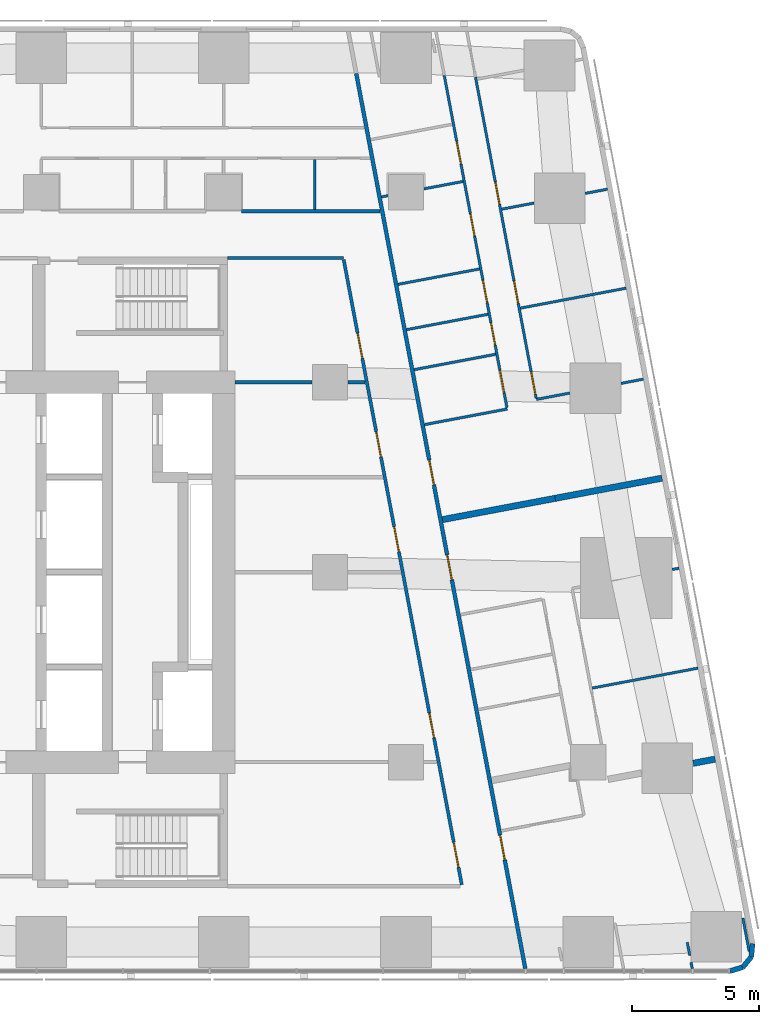
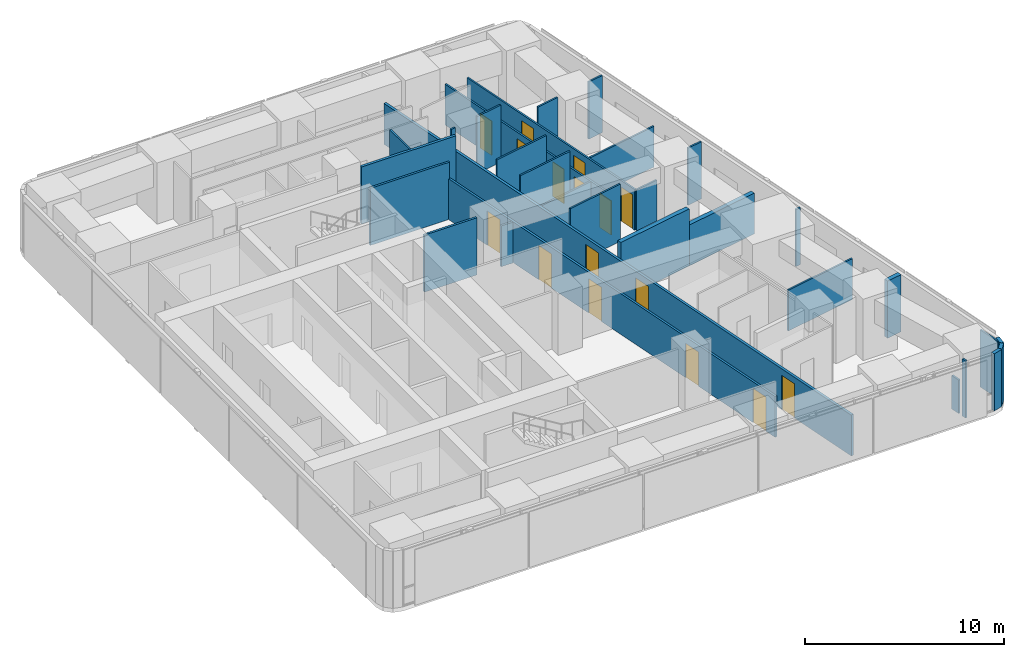
# One storey, part 7 of 11: 31 walls, 16 doors, 16 openings.
"""IFC4 building model written with IfcOpenShell, lengths in metres."""

from ifc_helpers import new_model, si_unit, direction, frame, frame_2d, origin, place, context, subcontext, project, spatial, rectangle, extrude, material, layer, layer_set, type_object, element, fill, save


model = new_model("IFC4")

# Units and contexts
model_context = context("Model", 3, precision=1e-05, world=origin(), true_north=direction((0.0, 1.0)))
body_context = subcontext(model_context, "Body", "Model", "MODEL_VIEW")
ifc_project = project(units=[si_unit("LENGTHUNIT", "METRE"), si_unit("AREAUNIT", "SQUARE_METRE"), si_unit("VOLUMEUNIT", "CUBIC_METRE"), si_unit("PLANEANGLEUNIT", "RADIAN"), si_unit("MASSUNIT", "GRAM", prefix="KILO")], contexts=[model_context])

# Site, building, storey
site_placement = place(None, origin())
site = spatial("IfcSite", under=ifc_project, at=site_placement, CompositionType="ELEMENT")
building_placement = place(site_placement, origin())
building = spatial("IfcBuilding", under=site, at=building_placement, Name="Sheger Commons Tower", CompositionType="ELEMENT")
storey_placement = place(building_placement, frame((0.0, 0.0, 262.85009765625)))
storey = spatial("IfcBuildingStorey", under=building, at=storey_placement, Name="L67", CompositionType="ELEMENT", Elevation=262.85009765625)

# Wall
ifc_material_1 = material(Name="Hollow concrete block masonry, skimmed both sides", Category="masonry")
ifc_layer_1 = layer(ifc_material_1, 0.14990234375)
ifc_layer_set_1 = layer_set([ifc_layer_1], Name="CORRIDOR WALL 150")
wall_type_1 = type_object("IfcWallType", Name="CORRIDOR WALL 150", PredefinedType="SOLIDWALL", material=ifc_layer_set_1)
wall_1_placement = place(storey_placement, frame((29.5009765625, 36.75, 0.0), z_axis=(0.0, 0.0, 1.0), x_axis=(1.0, 0.0, 0.0)))
element("IfcWall", 1, at=wall_1_placement, inside=storey, type_object=wall_type_1, Name="Corridor wall L67", PredefinedType="SOLIDWALL", context=body_context, shape_type="SweptSolid", body=[
    extrude(rectangle(XDim=5.470947265625, YDim=0.14990234375, at=frame_2d((2.7353515625, 0.0))), origin(), (0.0, 0.0, 1.0), 3.5),
])

# Wall, openings, doors
wall_2_placement = place(storey_placement, frame((34.035888671875, 42.18603515625, 0.0), z_axis=(0.0, 0.0, 1.0), x_axis=(0.185593518645, -0.9826266055, 0.0)))
wall_2 = element("IfcWall", 2, at=wall_2_placement, inside=storey, type_object=wall_type_1, Name="Corridor wall L67", PredefinedType="SOLIDWALL", context=body_context, shape_type="SweptSolid", body=[
    extrude(rectangle(XDim=35.960693359375, YDim=0.14990234375, at=frame_2d((17.98046875, 0.0))), origin(), (0.0, 0.0, 1.0), 2.5),
])
opening_1_placement = place(wall_2_placement, frame((15.529052734375, 0.0, 0.0)))
opening_1 = element("IfcOpeningElement", 3, at=opening_1_placement, cuts=wall_2, Name="Opening D1", PredefinedType="OPENING", context=body_context, shape_type="SweptSolid", body=[
    extrude(rectangle(XDim=1.0, YDim=2.10009765625, at=frame_2d((0.5, 1.050048828125))), frame((0.0, 0.0849609375, 0.0), z_axis=(0.0, -1.0, 0.0), x_axis=(1.0, 0.0, 0.0)), (0.0, 0.0, 1.0), 0.169921875),
])
opening_2_placement = place(wall_2_placement, frame((19.344970703125, 0.0, 0.0)))
opening_2 = element("IfcOpeningElement", 4, at=opening_2_placement, cuts=wall_2, Name="Opening D1", PredefinedType="OPENING", context=body_context, shape_type="SweptSolid", body=[
    extrude(rectangle(XDim=1.0, YDim=2.10009765625, at=frame_2d((0.5, 1.050048828125))), frame((0.0, 0.0849609375, 0.0), z_axis=(0.0, -1.0, 0.0), x_axis=(1.0, 0.0, 0.0)), (0.0, 0.0, 1.0), 0.169921875),
])
opening_3_placement = place(wall_2_placement, frame((30.593994140625, 0.0, 0.0)))
opening_3 = element("IfcOpeningElement", 5, at=opening_3_placement, cuts=wall_2, Name="Opening D1", PredefinedType="OPENING", context=body_context, shape_type="SweptSolid", body=[
    extrude(rectangle(XDim=1.0, YDim=2.10009765625, at=frame_2d((0.5, 1.050048828125))), frame((0.0, 0.0849609375, 0.0), z_axis=(0.0, -1.0, 0.0), x_axis=(1.0, 0.0, 0.0)), (0.0, 0.0, 1.0), 0.169921875),
])
ifc_material_2 = material(Name="Steel door set, fire rated", Category="steel")
door_type_1 = type_object("IfcDoorType", Name="FLAT ENTRANCE DOOR 1000x2100", OperationType="NOTDEFINED", PredefinedType="DOOR", material=ifc_material_2)
door_1_placement = place(opening_1_placement, origin())
door_1 = element("IfcDoor", 6, at=door_1_placement, inside=storey, type_object=door_type_1, Name="Flat entrance door", OperationType="SINGLE_SWING_LEFT", OverallHeight=2.10009765625, OverallWidth=1.0, PredefinedType="DOOR", context=body_context, shape_type="SweptSolid", body=[
    extrude(rectangle(XDim=1.0, YDim=2.10009765625, at=frame_2d((0.5, 1.050048828125))), frame((0.0, 0.02490234375, 0.0), z_axis=(0.0, -1.0, 0.0), x_axis=(1.0, 0.0, 0.0)), (0.0, 0.0, 1.0), 0.050048828125),
])
fill(opening_1, door_1)
door_2_placement = place(opening_2_placement, origin())
door_2 = element("IfcDoor", 7, at=door_2_placement, inside=storey, type_object=door_type_1, Name="Flat entrance door", OperationType="SINGLE_SWING_RIGHT", OverallHeight=2.10009765625, OverallWidth=1.0, PredefinedType="DOOR", context=body_context, shape_type="SweptSolid", body=[
    extrude(rectangle(XDim=1.0, YDim=2.10009765625, at=frame_2d((0.5, 1.050048828125))), frame((0.0, 0.02490234375, 0.0), z_axis=(0.0, -1.0, 0.0), x_axis=(1.0, 0.0, 0.0)), (0.0, 0.0, 1.0), 0.050048828125),
])
fill(opening_2, door_2)
door_3_placement = place(opening_3_placement, origin())
door_3 = element("IfcDoor", 8, at=door_3_placement, inside=storey, type_object=door_type_1, Name="Flat entrance door", OperationType="SINGLE_SWING_LEFT", OverallHeight=2.10009765625, OverallWidth=1.0, PredefinedType="DOOR", context=body_context, shape_type="SweptSolid", body=[
    extrude(rectangle(XDim=1.0, YDim=2.10009765625, at=frame_2d((0.5, 1.050048828125))), frame((0.0, 0.02490234375, 0.0), z_axis=(0.0, -1.0, 0.0), x_axis=(1.0, 0.0, 0.0)), (0.0, 0.0, 1.0), 0.050048828125),
])
fill(opening_3, door_3)

# Walls
ifc_material_3 = material(Name="Dense concrete block masonry, plastered both sides (separating wall between flats)", Category="masonry")
ifc_layer_2 = layer(ifc_material_3, 0.25)
ifc_layer_set_2 = layer_set([ifc_layer_2], Name="DEMISING WALL 250")
wall_type_2 = type_object("IfcWallType", Name="DEMISING WALL 250", PredefinedType="SOLIDWALL", material=ifc_layer_set_2)
wall_3_placement = place(storey_placement, frame((46.110107421875, 26.212890625, 0.0), z_axis=(0.0, 0.0, 1.0), x_axis=(-0.982633535512, -0.185556823879, 0.0)))
element("IfcWall", 9, at=wall_3_placement, inside=storey, type_object=wall_type_2, Name="Demising wall L67", PredefinedType="SOLIDWALL", context=body_context, shape_type="SweptSolid", body=[
    extrude(rectangle(XDim=4.2998046875, YDim=0.25, at=frame_2d((2.14990234375, 0.0))), origin(), (0.0, 0.0, 1.0), 2.5),
])
wall_4_placement = place(storey_placement, frame((41.885009765625, 25.4150390625, 0.0), z_axis=(0.0, 0.0, 1.0), x_axis=(-0.982612837616, -0.185666398014, 0.0)))
element("IfcWall", 10, at=wall_4_placement, inside=storey, type_object=wall_type_2, Name="Demising wall L67", PredefinedType="SOLIDWALL", context=body_context, shape_type="SweptSolid", body=[
    extrude(rectangle(XDim=4.524658203125, YDim=0.25, at=frame_2d((2.26220703125, 0.0))), origin(), (0.0, 0.0, 1.0), 3.5),
])
wall_5_placement = place(storey_placement, frame((48.2060546875, 15.1201171875, 0.0), z_axis=(0.0, 0.0, 1.0), x_axis=(-0.982608419258, -0.185689780017, 0.0)))
element("IfcWall", 11, at=wall_5_placement, inside=storey, type_object=wall_type_2, Name="Demising wall L67", PredefinedType="SOLIDWALL", context=body_context, shape_type="SweptSolid", body=[
    extrude(rectangle(XDim=0.883544921875, YDim=0.25, at=frame_2d((0.44189453125, 0.0))), origin(), (0.0, 0.0, 1.0), 3.5),
])
ifc_material_4 = material(Name="Rendered concrete block masonry, dark grey", Category="masonry")
ifc_layer_3 = layer(ifc_material_4, 0.199951171875)
ifc_layer_set_3 = layer_set([ifc_layer_3], Name="FACADE WALL 200")
wall_type_3 = type_object("IfcWallType", Name="FACADE WALL 200", PredefinedType="SOLIDWALL", material=ifc_layer_set_3)
wall_6_placement = place(storey_placement, frame((48.787109375, 6.75, 0.0), z_axis=(0.0, 0.0, 1.0), x_axis=(0.957282247819, 0.289155145225, 0.0)))
element("IfcWall", 12, at=wall_6_placement, inside=storey, type_object=wall_type_3, Name="Facade wall L67", PredefinedType="SOLIDWALL", context=body_context, shape_type="SweptSolid", body=[
    extrude(rectangle(XDim=0.53271484375, YDim=0.199951171875, at=frame_2d((0.266357421875, 0.0))), origin(), (0.0, 0.0, 1.0), 3.5),
])
wall_7_placement = place(storey_placement, frame((49.297119140625, 6.904052734375, 0.0), z_axis=(0.0, 0.0, 1.0), x_axis=(0.639255849474, 0.768994121508, 0.0)))
element("IfcWall", 13, at=wall_7_placement, inside=storey, type_object=wall_type_3, Name="Facade wall L67", PredefinedType="SOLIDWALL", context=body_context, shape_type="SweptSolid", body=[
    extrude(rectangle(XDim=0.517578125, YDim=0.199951171875, at=frame_2d((0.2587890625, 0.0))), origin(), (0.0, 0.0, 1.0), 3.5),
])
wall_8_placement = place(storey_placement, frame((49.6279296875, 7.302001953125, 0.0), z_axis=(0.0, 0.0, 1.0), x_axis=(0.105352390132, 0.994434952068, 0.0)))
element("IfcWall", 14, at=wall_8_placement, inside=storey, type_object=wall_type_3, Name="Facade wall L67", PredefinedType="SOLIDWALL", context=body_context, shape_type="SweptSolid", body=[
    extrude(rectangle(XDim=0.532958984375, YDim=0.199951171875, at=frame_2d((0.2666015625, 0.0))), origin(), (0.0, 0.0, 1.0), 3.5),
])
ifc_material_5 = material(Name="Gypsum board on steel studs", Category="steel")
ifc_layer_4 = layer(ifc_material_5, 0.10009765625)
ifc_layer_set_4 = layer_set([ifc_layer_4], Name="PARTITION 100")
wall_type_4 = type_object("IfcWallType", Name="PARTITION 100", PredefinedType="PARTITIONING", material=ifc_layer_set_4)
wall_9_placement = place(storey_placement, frame((49.300048828125, 8.85107421875, 0.0), z_axis=(0.0, 0.0, 1.0), x_axis=(0.18581620423, -0.982584519645, 0.0)))
element("IfcWall", 15, at=wall_9_placement, inside=storey, type_object=wall_type_4, Name="Partition L67", PredefinedType="PARTITIONING", context=body_context, shape_type="SweptSolid", body=[
    extrude(rectangle(XDim=1.3505859375, YDim=0.10009765625, at=frame_2d((0.67529296875, 0.0))), origin(), (0.0, 0.0, 1.0), 3.5),
])
wall_10_placement = place(storey_placement, frame((47.301025390625, 6.85009765625, 0.0), z_axis=(0.0, 0.0, 1.0), x_axis=(-0.187513903188, 0.982261948826, 0.0)))
element("IfcWall", 16, at=wall_10_placement, inside=storey, type_object=wall_type_4, Name="Partition L67", PredefinedType="PARTITIONING", context=body_context, shape_type="SweptSolid", body=[
    extrude(rectangle(XDim=0.251220703125, YDim=0.10009765625, at=frame_2d((0.12548828125, 0.0))), origin(), (0.0, 0.0, 1.0), 3.5),
])
wall_11_placement = place(storey_placement, frame((47.202880859375, 7.368896484375, 0.0), z_axis=(0.0, 0.0, 1.0), x_axis=(-0.186456243114, 0.982463266185, 0.0)))
element("IfcWall", 17, at=wall_11_placement, inside=storey, type_object=wall_type_4, Name="Partition L67", PredefinedType="PARTITIONING", context=body_context, shape_type="SweptSolid", body=[
    extrude(rectangle(XDim=0.5302734375, YDim=0.10009765625, at=frame_2d((0.26513671875, 0.0))), origin(), (0.0, 0.0, 1.0), 2.0498046875),
])

# Wall, openings, doors
wall_12_placement = place(storey_placement, frame((38.743896484375, 42.044921875, 0.0), z_axis=(0.0, 0.0, 1.0), x_axis=(0.185614085367, -0.982622720739, 0.0)))
wall_12 = element("IfcWall", 18, at=wall_12_placement, inside=storey, type_object=wall_type_4, Name="Partition L67", PredefinedType="PARTITIONING", context=body_context, shape_type="SweptSolid", body=[
    extrude(rectangle(XDim=12.89794921875, YDim=0.10009765625, at=frame_2d((6.448974609375, 0.0))), origin(), (0.0, 0.0, 1.0), 2.5),
])
opening_4_placement = place(wall_12_placement, frame((11.847900390625, 0.0, 0.0)))
opening_4 = element("IfcOpeningElement", 19, at=opening_4_placement, cuts=wall_12, Name="Opening D2", PredefinedType="OPENING", context=body_context, shape_type="SweptSolid", body=[
    extrude(rectangle(XDim=0.89990234375, YDim=2.10009765625, at=frame_2d((0.449951171875, 1.050048828125))), frame((0.0, 0.06005859375, 0.0), z_axis=(0.0, -1.0, 0.0), x_axis=(1.0, 0.0, 0.0)), (0.0, 0.0, 1.0), 0.1201171875),
])
opening_5_placement = place(wall_12_placement, frame((8.19091796875, 0.0, 0.0)))
opening_5 = element("IfcOpeningElement", 20, at=opening_5_placement, cuts=wall_12, Name="Opening D2", PredefinedType="OPENING", context=body_context, shape_type="SweptSolid", body=[
    extrude(rectangle(XDim=0.89990234375, YDim=2.10009765625, at=frame_2d((0.449951171875, 1.050048828125))), frame((0.0, 0.06005859375, 0.0), z_axis=(0.0, -1.0, 0.0), x_axis=(1.0, 0.0, 0.0)), (0.0, 0.0, 1.0), 0.1201171875),
])
opening_6_placement = place(wall_12_placement, frame((4.215087890625, 0.0, 0.0)))
opening_6 = element("IfcOpeningElement", 21, at=opening_6_placement, cuts=wall_12, Name="Opening D2", PredefinedType="OPENING", context=body_context, shape_type="SweptSolid", body=[
    extrude(rectangle(XDim=0.89990234375, YDim=2.10009765625, at=frame_2d((0.449951171875, 1.050048828125))), frame((0.0, 0.06005859375, 0.0), z_axis=(0.0, -1.0, 0.0), x_axis=(1.0, 0.0, 0.0)), (0.0, 0.0, 1.0), 0.1201171875),
])
ifc_material_6 = material(Name="Timber door set", Category="wood")
door_type_2 = type_object("IfcDoorType", Name="INTERNAL DOOR 900x2100", OperationType="NOTDEFINED", PredefinedType="DOOR", material=ifc_material_6)
door_4_placement = place(opening_4_placement, origin())
door_4 = element("IfcDoor", 22, at=door_4_placement, inside=storey, type_object=door_type_2, Name="Main bedroom door", OperationType="SINGLE_SWING_RIGHT", OverallHeight=2.10009765625, OverallWidth=0.89990234375, PredefinedType="DOOR", context=body_context, shape_type="SweptSolid", body=[
    extrude(rectangle(XDim=0.89990234375, YDim=2.10009765625, at=frame_2d((0.449951171875, 1.050048828125))), frame((0.0, 0.02490234375, 0.0), z_axis=(0.0, -1.0, 0.0), x_axis=(1.0, 0.0, 0.0)), (0.0, 0.0, 1.0), 0.050048828125),
])
fill(opening_4, door_4)
door_5_placement = place(opening_5_placement, origin())
door_5 = element("IfcDoor", 23, at=door_5_placement, inside=storey, type_object=door_type_2, Name="Bedroom 2 door", OperationType="SINGLE_SWING_RIGHT", OverallHeight=2.10009765625, OverallWidth=0.89990234375, PredefinedType="DOOR", context=body_context, shape_type="SweptSolid", body=[
    extrude(rectangle(XDim=0.89990234375, YDim=2.10009765625, at=frame_2d((0.449951171875, 1.050048828125))), frame((0.0, 0.02490234375, 0.0), z_axis=(0.0, -1.0, 0.0), x_axis=(1.0, 0.0, 0.0)), (0.0, 0.0, 1.0), 0.050048828125),
])
fill(opening_5, door_5)
door_6_placement = place(opening_6_placement, origin())
door_6 = element("IfcDoor", 24, at=door_6_placement, inside=storey, type_object=door_type_2, Name="Bedroom 3 door", OperationType="SINGLE_SWING_RIGHT", OverallHeight=2.10009765625, OverallWidth=0.89990234375, PredefinedType="DOOR", context=body_context, shape_type="SweptSolid", body=[
    extrude(rectangle(XDim=0.89990234375, YDim=2.10009765625, at=frame_2d((0.449951171875, 1.050048828125))), frame((0.0, 0.02490234375, 0.0), z_axis=(0.0, -1.0, 0.0), x_axis=(1.0, 0.0, 0.0)), (0.0, 0.0, 1.0), 0.050048828125),
])
fill(opening_6, door_6)

wall_13_placement = place(storey_placement, frame((37.510986328125, 42.10888671875, 0.0), z_axis=(0.0, 0.0, 1.0), x_axis=(0.185550464988, -0.982634736279, 0.0)))
wall_13 = element("IfcWall", 25, at=wall_13_placement, inside=storey, type_object=wall_type_4, Name="Partition L67", PredefinedType="PARTITIONING", context=body_context, shape_type="SweptSolid", body=[
    extrude(rectangle(XDim=13.349853515625, YDim=0.10009765625, at=frame_2d((6.6748046875, 0.0))), origin(), (0.0, 0.0, 1.0), 2.5),
])
opening_7_placement = place(wall_13_placement, frame((11.844970703125, 0.0, 0.0)))
opening_7 = element("IfcOpeningElement", 26, at=opening_7_placement, cuts=wall_13, Name="Opening D2", PredefinedType="OPENING", context=body_context, shape_type="SweptSolid", body=[
    extrude(rectangle(XDim=0.89990234375, YDim=2.10009765625, at=frame_2d((0.449951171875, 1.050048828125))), frame((0.0, 0.06005859375, 0.0), z_axis=(0.0, -1.0, 0.0), x_axis=(1.0, 0.0, 0.0)), (0.0, 0.0, 1.0), 0.1201171875),
])
opening_8_placement = place(wall_13_placement, frame((8.22412109375, 0.0, 0.0)))
opening_8 = element("IfcOpeningElement", 27, at=opening_8_placement, cuts=wall_13, Name="Opening D2", PredefinedType="OPENING", context=body_context, shape_type="SweptSolid", body=[
    extrude(rectangle(XDim=0.89990234375, YDim=2.10009765625, at=frame_2d((0.449951171875, 1.050048828125))), frame((0.0, 0.06005859375, 0.0), z_axis=(0.0, -1.0, 0.0), x_axis=(1.0, 0.0, 0.0)), (0.0, 0.0, 1.0), 0.1201171875),
])
opening_9_placement = place(wall_13_placement, frame((2.64990234375, 0.0, 0.0)))
opening_9 = element("IfcOpeningElement", 28, at=opening_9_placement, cuts=wall_13, Name="Opening D2", PredefinedType="OPENING", context=body_context, shape_type="SweptSolid", body=[
    extrude(rectangle(XDim=0.89990234375, YDim=2.10009765625, at=frame_2d((0.449951171875, 1.050048828125))), frame((0.0, 0.06005859375, 0.0), z_axis=(0.0, -1.0, 0.0), x_axis=(1.0, 0.0, 0.0)), (0.0, 0.0, 1.0), 0.1201171875),
])
opening_10_placement = place(wall_13_placement, frame((9.93603515625, 0.0, 0.0)))
opening_10 = element("IfcOpeningElement", 29, at=opening_10_placement, cuts=wall_13, Name="Opening D2", PredefinedType="OPENING", context=body_context, shape_type="SweptSolid", body=[
    extrude(rectangle(XDim=0.89990234375, YDim=2.10009765625, at=frame_2d((0.449951171875, 1.050048828125))), frame((0.0, 0.06005859375, 0.0), z_axis=(0.0, -1.0, 0.0), x_axis=(1.0, 0.0, 0.0)), (0.0, 0.0, 1.0), 0.1201171875),
])
opening_11_placement = place(wall_13_placement, frame((5.554931640625, 0.0, 0.0)))
opening_11 = element("IfcOpeningElement", 30, at=opening_11_placement, cuts=wall_13, Name="Opening D2", PredefinedType="OPENING", context=body_context, shape_type="SweptSolid", body=[
    extrude(rectangle(XDim=0.89990234375, YDim=2.10009765625, at=frame_2d((0.449951171875, 1.050048828125))), frame((0.0, 0.06005859375, 0.0), z_axis=(0.0, -1.0, 0.0), x_axis=(1.0, 0.0, 0.0)), (0.0, 0.0, 1.0), 0.1201171875),
])
door_7_placement = place(opening_7_placement, origin())
door_7 = element("IfcDoor", 31, at=door_7_placement, inside=storey, type_object=door_type_2, Name="Bathroom door", OperationType="SINGLE_SWING_LEFT", OverallHeight=2.10009765625, OverallWidth=0.89990234375, PredefinedType="DOOR", context=body_context, shape_type="SweptSolid", body=[
    extrude(rectangle(XDim=0.89990234375, YDim=2.10009765625, at=frame_2d((0.449951171875, 1.050048828125))), frame((0.0, 0.02490234375, 0.0), z_axis=(0.0, -1.0, 0.0), x_axis=(1.0, 0.0, 0.0)), (0.0, 0.0, 1.0), 0.050048828125),
])
fill(opening_7, door_7)
door_8_placement = place(opening_8_placement, origin())
door_8 = element("IfcDoor", 32, at=door_8_placement, inside=storey, type_object=door_type_2, Name="Laundry room door", OperationType="SINGLE_SWING_RIGHT", OverallHeight=2.10009765625, OverallWidth=0.89990234375, PredefinedType="DOOR", context=body_context, shape_type="SweptSolid", body=[
    extrude(rectangle(XDim=0.89990234375, YDim=2.10009765625, at=frame_2d((0.449951171875, 1.050048828125))), frame((0.0, 0.02490234375, 0.0), z_axis=(0.0, -1.0, 0.0), x_axis=(1.0, 0.0, 0.0)), (0.0, 0.0, 1.0), 0.050048828125),
])
fill(opening_8, door_8)
door_9_placement = place(opening_9_placement, origin())
door_9 = element("IfcDoor", 33, at=door_9_placement, inside=storey, type_object=door_type_2, Name="Laundry room door", OperationType="SINGLE_SWING_RIGHT", OverallHeight=2.10009765625, OverallWidth=0.89990234375, PredefinedType="DOOR", context=body_context, shape_type="SweptSolid", body=[
    extrude(rectangle(XDim=0.89990234375, YDim=2.10009765625, at=frame_2d((0.449951171875, 1.050048828125))), frame((0.0, 0.02490234375, 0.0), z_axis=(0.0, -1.0, 0.0), x_axis=(1.0, 0.0, 0.0)), (0.0, 0.0, 1.0), 0.050048828125),
])
fill(opening_9, door_9)
door_10_placement = place(opening_10_placement, origin())
door_10 = element("IfcDoor", 34, at=door_10_placement, inside=storey, type_object=door_type_2, Name="Store door", OperationType="SINGLE_SWING_LEFT", OverallHeight=2.10009765625, OverallWidth=0.89990234375, PredefinedType="DOOR", context=body_context, shape_type="SweptSolid", body=[
    extrude(rectangle(XDim=0.89990234375, YDim=2.10009765625, at=frame_2d((0.449951171875, 1.050048828125))), frame((0.0, 0.02490234375, 0.0), z_axis=(0.0, -1.0, 0.0), x_axis=(1.0, 0.0, 0.0)), (0.0, 0.0, 1.0), 0.050048828125),
])
fill(opening_10, door_10)
door_11_placement = place(opening_11_placement, origin())
door_11 = element("IfcDoor", 35, at=door_11_placement, inside=storey, type_object=door_type_2, Name="Store door", OperationType="SINGLE_SWING_LEFT", OverallHeight=2.10009765625, OverallWidth=0.89990234375, PredefinedType="DOOR", context=body_context, shape_type="SweptSolid", body=[
    extrude(rectangle(XDim=0.89990234375, YDim=2.10009765625, at=frame_2d((0.449951171875, 1.050048828125))), frame((0.0, 0.02490234375, 0.0), z_axis=(0.0, -1.0, 0.0), x_axis=(1.0, 0.0, 0.0)), (0.0, 0.0, 1.0), 0.050048828125),
])
fill(opening_11, door_11)

# Walls
wall_14_placement = place(storey_placement, frame((43.955078125, 37.6201171875, 0.0), z_axis=(0.0, 0.0, 1.0), x_axis=(-0.982708424405, -0.18515980288, 0.0)))
element("IfcWall", 36, at=wall_14_placement, inside=storey, type_object=wall_type_4, Name="Partition L67", PredefinedType="PARTITIONING", context=body_context, shape_type="SweptSolid", body=[
    extrude(rectangle(XDim=0.896728515625, YDim=0.10009765625, at=frame_2d((0.4482421875, 0.0))), origin(), (0.0, 0.0, 1.0), 3.5),
])
wall_15_placement = place(storey_placement, frame((41.053955078125, 37.072021484375, 0.0), z_axis=(0.0, 0.0, 1.0), x_axis=(-0.982576752117, -0.185857273733, 0.0)))
element("IfcWall", 37, at=wall_15_placement, inside=storey, type_object=wall_type_4, Name="Partition L67", PredefinedType="PARTITIONING", context=body_context, shape_type="SweptSolid", body=[
    extrude(rectangle(XDim=1.296630859375, YDim=0.10009765625, at=frame_2d((0.6484375, 0.0))), origin(), (0.0, 0.0, 1.0), 3.5),
])
wall_16_placement = place(storey_placement, frame((44.693115234375, 33.712890625, 0.0), z_axis=(0.0, 0.0, 1.0), x_axis=(-0.982615600536, -0.185651775062, 0.0)))
element("IfcWall", 38, at=wall_16_placement, inside=storey, type_object=wall_type_4, Name="Partition L67", PredefinedType="PARTITIONING", context=body_context, shape_type="SweptSolid", body=[
    extrude(rectangle(XDim=4.2490234375, YDim=0.10009765625, at=frame_2d((2.12451171875, 0.0))), origin(), (0.0, 0.0, 1.0), 2.5),
])
wall_17_placement = place(storey_placement, frame((45.3720703125, 30.12109375, 0.0), z_axis=(0.0, 0.0, 1.0), x_axis=(-0.982547416156, -0.186012297994, 0.0)))
element("IfcWall", 39, at=wall_17_placement, inside=storey, type_object=wall_type_4, Name="Partition L67", PredefinedType="PARTITIONING", context=body_context, shape_type="SweptSolid", body=[
    extrude(rectangle(XDim=0.897705078125, YDim=0.10009765625, at=frame_2d((0.44873046875, 0.0))), origin(), (0.0, 0.0, 1.0), 3.5),
])
wall_18_placement = place(storey_placement, frame((42.469970703125, 29.572021484375, 0.0), z_axis=(0.0, 0.0, 1.0), x_axis=(-0.982610503289, -0.185678751683, 0.0)))
element("IfcWall", 40, at=wall_18_placement, inside=storey, type_object=wall_type_4, Name="Partition L67", PredefinedType="PARTITIONING", context=body_context, shape_type="SweptSolid", body=[
    extrude(rectangle(XDim=1.346435546875, YDim=0.10009765625, at=frame_2d((0.67333984375, 0.0))), origin(), (0.0, 0.0, 1.0), 2.5),
])
wall_19_placement = place(storey_placement, frame((38.25, 37.925048828125, 0.0), z_axis=(0.0, 0.0, 1.0), x_axis=(-0.982610209589, -0.185680305934, 0.0)))
element("IfcWall", 41, at=wall_19_placement, inside=storey, type_object=wall_type_4, Name="Partition L67", PredefinedType="PARTITIONING", context=body_context, shape_type="SweptSolid", body=[
    extrude(rectangle(XDim=1.5673828125, YDim=0.10009765625, at=frame_2d((0.78369140625, 0.0))), origin(), (0.0, 0.0, 1.0), 3.5),
])
wall_20_placement = place(storey_placement, frame((35.2900390625, 37.365966796875, 0.0), z_axis=(0.0, 0.0, 1.0), x_axis=(-0.982395465615, -0.18681313963, 0.0)))
element("IfcWall", 42, at=wall_20_placement, inside=storey, type_object=wall_type_4, Name="Partition L67", PredefinedType="PARTITIONING", context=body_context, shape_type="SweptSolid", body=[
    extrude(rectangle(XDim=0.2626953125, YDim=0.10009765625, at=frame_2d((0.13134765625, 0.0))), origin(), (0.0, 0.0, 1.0), 3.5),
])
wall_21_placement = place(storey_placement, frame((39.239990234375, 32.68310546875, 0.0), z_axis=(0.0, 0.0, 1.0), x_axis=(-0.982607026909, -0.185697147715, 0.0)))
element("IfcWall", 43, at=wall_21_placement, inside=storey, type_object=wall_type_4, Name="Partition L67", PredefinedType="PARTITIONING", context=body_context, shape_type="SweptSolid", body=[
    extrude(rectangle(XDim=3.27490234375, YDim=0.10009765625, at=frame_2d((1.637451171875, 0.0))), origin(), (0.0, 0.0, 1.0), 3.5),
])
wall_22_placement = place(storey_placement, frame((39.9970703125, 28.94189453125, 0.0), z_axis=(0.0, 0.0, 1.0), x_axis=(-0.982569883123, -0.185893584556, 0.0)))
element("IfcWall", 44, at=wall_22_placement, inside=storey, type_object=wall_type_4, Name="Partition L67", PredefinedType="PARTITIONING", context=body_context, shape_type="SweptSolid", body=[
    extrude(rectangle(XDim=3.323974609375, YDim=0.10009765625, at=frame_2d((1.662109375, 0.0))), origin(), (0.0, 0.0, 1.0), 3.5),
])
wall_23_placement = place(storey_placement, frame((39.5380859375, 31.10400390625, 0.0), z_axis=(0.0, 0.0, 1.0), x_axis=(-0.982620626894, -0.185625169636, 0.0)))
element("IfcWall", 45, at=wall_23_placement, inside=storey, type_object=wall_type_4, Name="Partition L67", PredefinedType="PARTITIONING", context=body_context, shape_type="SweptSolid", body=[
    extrude(rectangle(XDim=3.27490234375, YDim=0.10009765625, at=frame_2d((1.637451171875, 0.0))), origin(), (0.0, 0.0, 1.0), 2.5),
])
wall_24_placement = place(storey_placement, frame((38.902099609375, 34.470947265625, 0.0), z_axis=(0.0, 0.0, 1.0), x_axis=(-0.982674977865, -0.185337227447, 0.0)))
element("IfcWall", 46, at=wall_24_placement, inside=storey, type_object=wall_type_4, Name="Partition L67", PredefinedType="PARTITIONING", context=body_context, shape_type="SweptSolid", body=[
    extrude(rectangle(XDim=3.274658203125, YDim=0.10009765625, at=frame_2d((1.63720703125, 0.0))), origin(), (0.0, 0.0, 1.0), 3.5),
])
wall_25_placement = place(storey_placement, frame((46.781982421875, 22.656982421875, 0.0), z_axis=(0.0, 0.0, 1.0), x_axis=(-0.982574553168, -0.185868898601, 0.0)))
element("IfcWall", 47, at=wall_25_placement, inside=storey, type_object=wall_type_4, Name="Partition L67", PredefinedType="PARTITIONING", context=body_context, shape_type="SweptSolid", body=[
    extrude(rectangle(XDim=0.27978515625, YDim=0.10009765625, at=frame_2d((0.139892578125, 0.0))), origin(), (0.0, 0.0, 1.0), 3.5),
])
wall_26_placement = place(storey_placement, frame((47.527099609375, 18.7119140625, 0.0), z_axis=(0.0, 0.0, 1.0), x_axis=(-0.982665405803, -0.185387972203, 0.0)))
element("IfcWall", 48, at=wall_26_placement, inside=storey, type_object=wall_type_4, Name="Partition L67", PredefinedType="PARTITIONING", context=body_context, shape_type="SweptSolid", body=[
    extrude(rectangle(XDim=4.249755859375, YDim=0.10009765625, at=frame_2d((2.125, 0.0))), origin(), (0.0, 0.0, 1.0), 2.5),
])
wall_27_placement = place(storey_placement, frame((32.39990234375, 36.824951171875, 0.0), z_axis=(0.0, 0.0, 1.0), x_axis=(0.0, 1.0, 0.0)))
element("IfcWall", 49, at=wall_27_placement, inside=storey, type_object=wall_type_4, Name="Partition L67", PredefinedType="PARTITIONING", context=body_context, shape_type="SweptSolid", body=[
    extrude(rectangle(XDim=1.97509765625, YDim=0.10009765625, at=frame_2d((0.987548828125, 0.0))), origin(), (0.0, 0.0, 1.0), 3.5),
])
ifc_material_7 = material(Name="Gypsum board on steel studs, two layers each side, fire rated", Category="steel")
ifc_layer_5 = layer(ifc_material_7, 0.125)
ifc_layer_set_5 = layer_set([ifc_layer_5], Name="SERVICE WALL 125")
wall_type_5 = type_object("IfcWallType", Name="SERVICE WALL 125", PredefinedType="PARTITIONING", material=ifc_layer_set_5)
wall_28_placement = place(storey_placement, frame((28.949951171875, 34.89990234375, 0.0), z_axis=(0.0, 0.0, 1.0), x_axis=(1.0, 0.0, 0.0)))
element("IfcWall", 50, at=wall_28_placement, inside=storey, type_object=wall_type_5, Name="Service room wall L67", PredefinedType="PARTITIONING", context=body_context, shape_type="SweptSolid", body=[
    extrude(rectangle(XDim=4.588134765625, YDim=0.125, at=frame_2d((2.2939453125, 0.0))), origin(), (0.0, 0.0, 1.0), 3.5),
])

# Wall, openings, doors
wall_29_placement = place(storey_placement, frame((38.201904296875, 10.1630859375, 0.0), z_axis=(0.0, 0.0, 1.0), x_axis=(-0.185610321132, 0.982623431783, 0.0)))
wall_29 = element("IfcWall", 51, at=wall_29_placement, inside=storey, type_object=wall_type_5, Name="Service room wall L67", PredefinedType="PARTITIONING", context=body_context, shape_type="SweptSolid", body=[
    extrude(rectangle(XDim=25.111083984375, YDim=0.125, at=frame_2d((12.5556640625, 0.0))), origin(), (0.0, 0.0, 1.0), 2.5),
])
opening_12_placement = place(wall_29_placement, frame((0.7080078125, 0.0, 0.0)))
opening_12 = element("IfcOpeningElement", 52, at=opening_12_placement, cuts=wall_29, Name="Opening D4", PredefinedType="OPENING", context=body_context, shape_type="SweptSolid", body=[
    extrude(rectangle(XDim=1.0, YDim=2.10009765625, at=frame_2d((0.5, 1.050048828125))), frame((0.0, 0.072509765625, 0.0), z_axis=(0.0, -1.0, 0.0), x_axis=(1.0, 0.0, 0.0)), (0.0, 0.0, 1.0), 0.14501953125),
])
opening_13_placement = place(wall_29_placement, frame((5.89990234375, 0.0, 0.0)))
opening_13 = element("IfcOpeningElement", 53, at=opening_13_placement, cuts=wall_29, Name="Opening D4", PredefinedType="OPENING", context=body_context, shape_type="SweptSolid", body=[
    extrude(rectangle(XDim=1.0, YDim=2.10009765625, at=frame_2d((0.5, 1.050048828125))), frame((0.0, 0.072509765625, 0.0), z_axis=(0.0, -1.0, 0.0), x_axis=(1.0, 0.0, 0.0)), (0.0, 0.0, 1.0), 0.14501953125),
])
opening_14_placement = place(wall_29_placement, frame((13.3779296875, 0.0, 0.0)))
opening_14 = element("IfcOpeningElement", 54, at=opening_14_placement, cuts=wall_29, Name="Opening D4", PredefinedType="OPENING", context=body_context, shape_type="SweptSolid", body=[
    extrude(rectangle(XDim=1.0, YDim=2.10009765625, at=frame_2d((0.5, 1.050048828125))), frame((0.0, 0.072509765625, 0.0), z_axis=(0.0, -1.0, 0.0), x_axis=(1.0, 0.0, 0.0)), (0.0, 0.0, 1.0), 0.14501953125),
])
opening_15_placement = place(wall_29_placement, frame((17.194091796875, 0.0, 0.0)))
opening_15 = element("IfcOpeningElement", 55, at=opening_15_placement, cuts=wall_29, Name="Opening D4", PredefinedType="OPENING", context=body_context, shape_type="SweptSolid", body=[
    extrude(rectangle(XDim=1.0, YDim=2.10009765625, at=frame_2d((0.5, 1.050048828125))), frame((0.0, 0.072509765625, 0.0), z_axis=(0.0, -1.0, 0.0), x_axis=(1.0, 0.0, 0.0)), (0.0, 0.0, 1.0), 0.14501953125),
])
opening_16_placement = place(wall_29_placement, frame((21.14990234375, 0.0, 0.0)))
opening_16 = element("IfcOpeningElement", 56, at=opening_16_placement, cuts=wall_29, Name="Opening D4", PredefinedType="OPENING", context=body_context, shape_type="SweptSolid", body=[
    extrude(rectangle(XDim=1.0, YDim=2.10009765625, at=frame_2d((0.5, 1.050048828125))), frame((0.0, 0.072509765625, 0.0), z_axis=(0.0, -1.0, 0.0), x_axis=(1.0, 0.0, 0.0)), (0.0, 0.0, 1.0), 0.14501953125),
])
ifc_material_8 = material(Name="Steel door set, fire rated", Category="steel")
door_type_3 = type_object("IfcDoorType", Name="SERVICE DOOR 1000x2100", OperationType="NOTDEFINED", PredefinedType="DOOR", material=ifc_material_8)
door_12_placement = place(opening_12_placement, origin())
door_12 = element("IfcDoor", 57, at=door_12_placement, inside=storey, type_object=door_type_3, Name="Residents' meeting room door", OperationType="SINGLE_SWING_LEFT", OverallHeight=2.10009765625, OverallWidth=1.0, PredefinedType="DOOR", context=body_context, shape_type="SweptSolid", body=[
    extrude(rectangle(XDim=1.0, YDim=2.10009765625, at=frame_2d((0.5, 1.050048828125))), frame((0.0, 0.02490234375, 0.0), z_axis=(0.0, -1.0, 0.0), x_axis=(1.0, 0.0, 0.0)), (0.0, 0.0, 1.0), 0.050048828125),
])
fill(opening_12, door_12)
door_13_placement = place(opening_13_placement, origin())
door_13 = element("IfcDoor", 58, at=door_13_placement, inside=storey, type_object=door_type_3, Name="Children's play room door", OperationType="SINGLE_SWING_LEFT", OverallHeight=2.10009765625, OverallWidth=1.0, PredefinedType="DOOR", context=body_context, shape_type="SweptSolid", body=[
    extrude(rectangle(XDim=1.0, YDim=2.10009765625, at=frame_2d((0.5, 1.050048828125))), frame((0.0, 0.02490234375, 0.0), z_axis=(0.0, -1.0, 0.0), x_axis=(1.0, 0.0, 0.0)), (0.0, 0.0, 1.0), 0.050048828125),
])
fill(opening_13, door_13)
door_14_placement = place(opening_14_placement, origin())
door_14 = element("IfcDoor", 59, at=door_14_placement, inside=storey, type_object=door_type_3, Name="Caretaker's store door", OperationType="SINGLE_SWING_LEFT", OverallHeight=2.10009765625, OverallWidth=1.0, PredefinedType="DOOR", context=body_context, shape_type="SweptSolid", body=[
    extrude(rectangle(XDim=1.0, YDim=2.10009765625, at=frame_2d((0.5, 1.050048828125))), frame((0.0, 0.02490234375, 0.0), z_axis=(0.0, -1.0, 0.0), x_axis=(1.0, 0.0, 0.0)), (0.0, 0.0, 1.0), 0.050048828125),
])
fill(opening_14, door_14)
door_15_placement = place(opening_15_placement, origin())
door_15 = element("IfcDoor", 60, at=door_15_placement, inside=storey, type_object=door_type_3, Name="Residents' store door", OperationType="SINGLE_SWING_LEFT", OverallHeight=2.10009765625, OverallWidth=1.0, PredefinedType="DOOR", context=body_context, shape_type="SweptSolid", body=[
    extrude(rectangle(XDim=1.0, YDim=2.10009765625, at=frame_2d((0.5, 1.050048828125))), frame((0.0, 0.02490234375, 0.0), z_axis=(0.0, -1.0, 0.0), x_axis=(1.0, 0.0, 0.0)), (0.0, 0.0, 1.0), 0.050048828125),
])
fill(opening_15, door_15)
door_16_placement = place(opening_16_placement, origin())
door_16 = element("IfcDoor", 61, at=door_16_placement, inside=storey, type_object=door_type_3, Name="Parcel and delivery room door", OperationType="SINGLE_SWING_LEFT", OverallHeight=2.10009765625, OverallWidth=1.0, PredefinedType="DOOR", context=body_context, shape_type="SweptSolid", body=[
    extrude(rectangle(XDim=1.0, YDim=2.10009765625, at=frame_2d((0.5, 1.050048828125))), frame((0.0, 0.02490234375, 0.0), z_axis=(0.0, -1.0, 0.0), x_axis=(1.0, 0.0, 0.0)), (0.0, 0.0, 1.0), 0.050048828125),
])
fill(opening_16, door_16)

# Walls
wall_30_placement = place(storey_placement, frame((29.25, 30.0, 0.0), z_axis=(0.0, 0.0, 1.0), x_axis=(1.0, 0.0, 0.0)))
element("IfcWall", 62, at=wall_30_placement, inside=storey, type_object=wall_type_5, Name="Service room wall L67", PredefinedType="PARTITIONING", context=body_context, shape_type="SweptSolid", body=[
    extrude(rectangle(XDim=3.049072265625, YDim=0.125, at=frame_2d((1.5244140625, 0.0))), origin(), (0.0, 0.0, 1.0), 3.5),
])
wall_31_placement = place(storey_placement, frame((33.700927734375, 30.0, 0.0), z_axis=(0.0, 0.0, 1.0), x_axis=(1.0, 0.0, 0.0)))
element("IfcWall", 63, at=wall_31_placement, inside=storey, type_object=wall_type_5, Name="Service room wall L67", PredefinedType="PARTITIONING", context=body_context, shape_type="SweptSolid", body=[
    extrude(rectangle(XDim=0.677978515625, YDim=0.125, at=frame_2d((0.3388671875, 0.0))), origin(), (0.0, 0.0, 1.0), 2.5),
])

save(model, "model.ifc")
